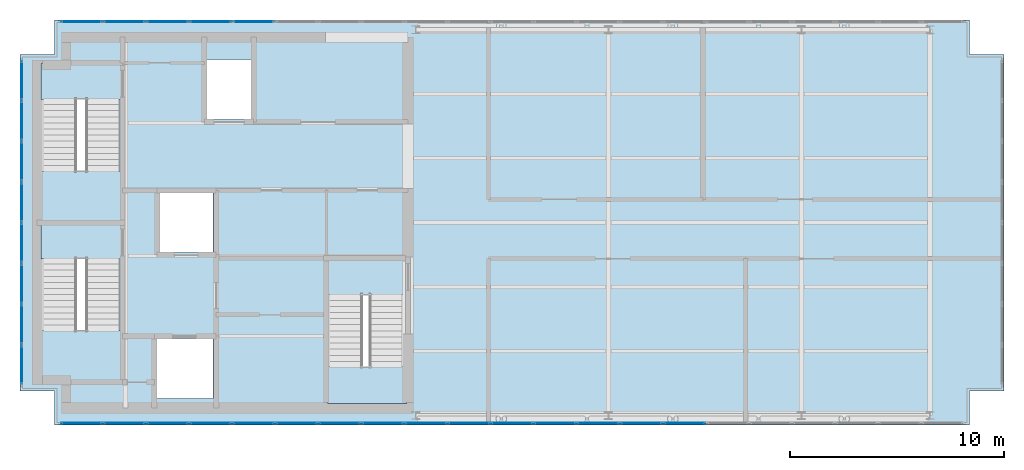
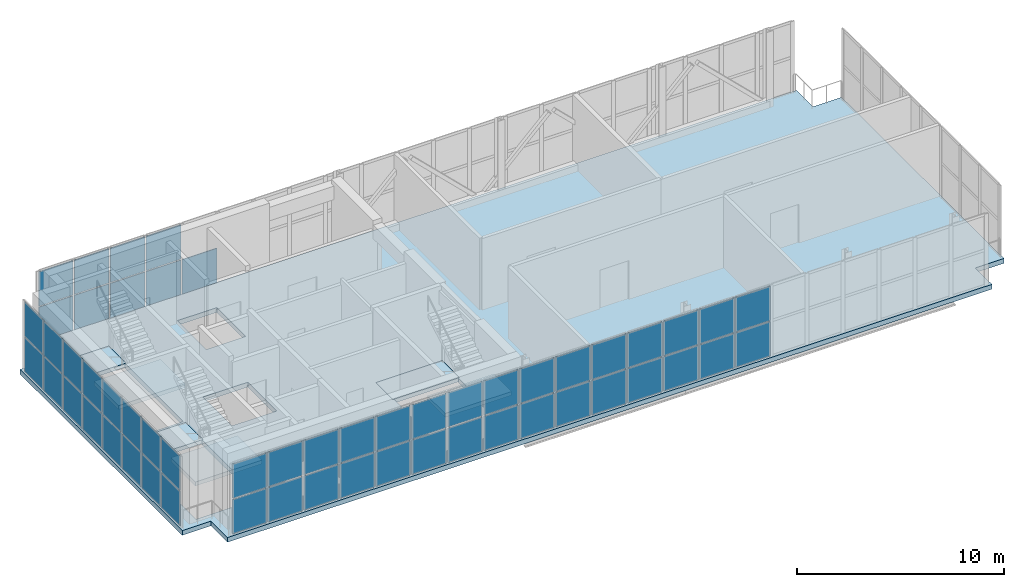
# One storey, part 16 of 21: 55 plates, 7 slabs, 6 elements without a shape of their own.
"""IFC4 building model written with IfcOpenShell, lengths in metres."""

from ifc_helpers import new_model, si_unit, direction, frame, origin, origin_2d, place, context, subcontext, project, spatial, polyline, rectangle, outline, extrude, material, layer, layer_set, type_object, element, aggregate, save


model = new_model("IFC4")

# Units and contexts
model_context = context("Model", 3, precision=1e-05, world=origin(), true_north=direction((0.0, 1.0)))
body_context = subcontext(model_context, "Body", "Model", "MODEL_VIEW")
ifc_project = project(units=[si_unit("LENGTHUNIT", "METRE"), si_unit("AREAUNIT", "SQUARE_METRE"), si_unit("VOLUMEUNIT", "CUBIC_METRE"), si_unit("PLANEANGLEUNIT", "RADIAN"), si_unit("MASSUNIT", "GRAM", prefix="KILO")], contexts=[model_context])

# Site, building, storey
site_placement = place(None, origin())
site = spatial("IfcSite", under=ifc_project, at=site_placement, CompositionType="ELEMENT")
building_placement = place(site_placement, origin())
building = spatial("IfcBuilding", under=site, at=building_placement, Name="Mawjdan Bourse Tower", CompositionType="ELEMENT")
storey_placement = place(building_placement, frame((0.0, 0.0, 317.699951171875)))
storey = spatial("IfcBuildingStorey", under=building, at=storey_placement, Name="L78", CompositionType="ELEMENT", Elevation=317.699951171875)

# Curtain wall, plates
ifc_material_1 = material(Name="Thermally Broken Aluminium and Solar Glass", Category="aluminium")
ifc_layer_1 = layer(ifc_material_1, 0.219970703125)
ifc_layer_set_1 = layer_set([ifc_layer_1], Name="Thermally Broken Aluminium and Solar Glass")
curtain_wall_type = type_object("IfcCurtainWallType", Name="CW-CRN", PredefinedType="USERDEFINED", material=ifc_layer_set_1)
curtain_wall_1_placement = place(storey_placement, origin())
curtain_wall_1 = element("IfcCurtainWall", 1, at=curtain_wall_1_placement, inside=storey, type_object=curtain_wall_type, Name="L78 Lantern Crown South Curtain Wall", ObjectType="LANTERN GLAZED CROWN", PredefinedType="USERDEFINED")
ifc_material_2 = material(Name="Night-Lit Fritted Lantern Glass", Category="glass")
ifc_layer_2 = layer(ifc_material_2, 0.0439453125)
ifc_layer_set_2 = layer_set([ifc_layer_2], Name="Night-Lit Fritted Lantern Glass")
plate_type = type_object("IfcPlateType", Name="PNL-CW-CRN", PredefinedType="CURTAIN_PANEL", material=ifc_layer_set_2)
plate_1_placement = place(storey_placement, frame((8.423583984375, 2.6298828125, 0.06005859375), z_axis=(0.0, 0.0, 1.0), x_axis=(1.0, 0.0, 0.0)))
plate_1 = element("IfcPlate", 2, at=plate_1_placement, type_object=plate_type, Name="CW-CRN-L78-CRN-S panel 1.1", PredefinedType="CURTAIN_PANEL", context=body_context, shape_type="SweptSolid", body=[
    extrude(rectangle(XDim=1.89697265625, YDim=0.0439453125, at=origin_2d()), origin(), (0.0, 0.0, 1.0), 2.030029296875),
])
plate_2_placement = place(storey_placement, frame((8.423583984375, 2.6298828125, 2.14990234375), z_axis=(0.0, 0.0, 1.0), x_axis=(1.0, 0.0, 0.0)))
plate_2 = element("IfcPlate", 3, at=plate_2_placement, type_object=plate_type, Name="CW-CRN-L78-CRN-S panel 1.2", PredefinedType="CURTAIN_PANEL", context=body_context, shape_type="SweptSolid", body=[
    extrude(rectangle(XDim=1.89697265625, YDim=0.0439453125, at=origin_2d()), origin(), (0.0, 0.0, 1.0), 2.030029296875),
])
plate_3_placement = place(storey_placement, frame((10.414306640625, 2.6298828125, 0.06005859375), z_axis=(0.0, 0.0, 1.0), x_axis=(1.0, 0.0, 0.0)))
plate_3 = element("IfcPlate", 4, at=plate_3_placement, type_object=plate_type, Name="CW-CRN-L78-CRN-S panel 2.1", PredefinedType="CURTAIN_PANEL", context=body_context, shape_type="SweptSolid", body=[
    extrude(rectangle(XDim=1.9345703125, YDim=0.0439453125, at=origin_2d()), origin(), (0.0, 0.0, 1.0), 2.030029296875),
])
plate_4_placement = place(storey_placement, frame((10.414306640625, 2.6298828125, 2.14990234375), z_axis=(0.0, 0.0, 1.0), x_axis=(1.0, 0.0, 0.0)))
plate_4 = element("IfcPlate", 5, at=plate_4_placement, type_object=plate_type, Name="CW-CRN-L78-CRN-S panel 2.2", PredefinedType="CURTAIN_PANEL", context=body_context, shape_type="SweptSolid", body=[
    extrude(rectangle(XDim=1.9345703125, YDim=0.0439453125, at=origin_2d()), origin(), (0.0, 0.0, 1.0), 2.030029296875),
])
plate_5_placement = place(storey_placement, frame((12.423828125, 2.6298828125, 0.06005859375), z_axis=(0.0, 0.0, 1.0), x_axis=(1.0, 0.0, 0.0)))
plate_5 = element("IfcPlate", 6, at=plate_5_placement, type_object=plate_type, Name="CW-CRN-L78-CRN-S panel 3.1", PredefinedType="CURTAIN_PANEL", context=body_context, shape_type="SweptSolid", body=[
    extrude(rectangle(XDim=1.9345703125, YDim=0.0439453125, at=origin_2d()), origin(), (0.0, 0.0, 1.0), 2.030029296875),
])
plate_6_placement = place(storey_placement, frame((12.423828125, 2.6298828125, 2.14990234375), z_axis=(0.0, 0.0, 1.0), x_axis=(1.0, 0.0, 0.0)))
plate_6 = element("IfcPlate", 7, at=plate_6_placement, type_object=plate_type, Name="CW-CRN-L78-CRN-S panel 3.2", PredefinedType="CURTAIN_PANEL", context=body_context, shape_type="SweptSolid", body=[
    extrude(rectangle(XDim=1.9345703125, YDim=0.0439453125, at=origin_2d()), origin(), (0.0, 0.0, 1.0), 2.030029296875),
])
plate_7_placement = place(storey_placement, frame((14.433349609375, 2.6298828125, 0.06005859375), z_axis=(0.0, 0.0, 1.0), x_axis=(1.0, 0.0, 0.0)))
plate_7 = element("IfcPlate", 8, at=plate_7_placement, type_object=plate_type, Name="CW-CRN-L78-CRN-S panel 4.1", PredefinedType="CURTAIN_PANEL", context=body_context, shape_type="SweptSolid", body=[
    extrude(rectangle(XDim=1.9345703125, YDim=0.0439453125, at=origin_2d()), origin(), (0.0, 0.0, 1.0), 2.030029296875),
])
plate_8_placement = place(storey_placement, frame((14.433349609375, 2.6298828125, 2.14990234375), z_axis=(0.0, 0.0, 1.0), x_axis=(1.0, 0.0, 0.0)))
plate_8 = element("IfcPlate", 9, at=plate_8_placement, type_object=plate_type, Name="CW-CRN-L78-CRN-S panel 4.2", PredefinedType="CURTAIN_PANEL", context=body_context, shape_type="SweptSolid", body=[
    extrude(rectangle(XDim=1.9345703125, YDim=0.0439453125, at=origin_2d()), origin(), (0.0, 0.0, 1.0), 2.030029296875),
])
plate_9_placement = place(storey_placement, frame((16.44287109375, 2.6298828125, 0.06005859375), z_axis=(0.0, 0.0, 1.0), x_axis=(1.0, 0.0, 0.0)))
plate_9 = element("IfcPlate", 10, at=plate_9_placement, type_object=plate_type, Name="CW-CRN-L78-CRN-S panel 5.1", PredefinedType="CURTAIN_PANEL", context=body_context, shape_type="SweptSolid", body=[
    extrude(rectangle(XDim=1.9345703125, YDim=0.0439453125, at=origin_2d()), origin(), (0.0, 0.0, 1.0), 2.030029296875),
])
plate_10_placement = place(storey_placement, frame((16.44287109375, 2.6298828125, 2.14990234375), z_axis=(0.0, 0.0, 1.0), x_axis=(1.0, 0.0, 0.0)))
plate_10 = element("IfcPlate", 11, at=plate_10_placement, type_object=plate_type, Name="CW-CRN-L78-CRN-S panel 5.2", PredefinedType="CURTAIN_PANEL", context=body_context, shape_type="SweptSolid", body=[
    extrude(rectangle(XDim=1.9345703125, YDim=0.0439453125, at=origin_2d()), origin(), (0.0, 0.0, 1.0), 2.030029296875),
])
plate_11_placement = place(storey_placement, frame((18.452392578125, 2.6298828125, 0.06005859375), z_axis=(0.0, 0.0, 1.0), x_axis=(1.0, 0.0, 0.0)))
plate_11 = element("IfcPlate", 12, at=plate_11_placement, type_object=plate_type, Name="CW-CRN-L78-CRN-S panel 6.1", PredefinedType="CURTAIN_PANEL", context=body_context, shape_type="SweptSolid", body=[
    extrude(rectangle(XDim=1.9345703125, YDim=0.0439453125, at=origin_2d()), origin(), (0.0, 0.0, 1.0), 2.030029296875),
])
plate_12_placement = place(storey_placement, frame((18.452392578125, 2.6298828125, 2.14990234375), z_axis=(0.0, 0.0, 1.0), x_axis=(1.0, 0.0, 0.0)))
plate_12 = element("IfcPlate", 13, at=plate_12_placement, type_object=plate_type, Name="CW-CRN-L78-CRN-S panel 6.2", PredefinedType="CURTAIN_PANEL", context=body_context, shape_type="SweptSolid", body=[
    extrude(rectangle(XDim=1.9345703125, YDim=0.0439453125, at=origin_2d()), origin(), (0.0, 0.0, 1.0), 2.030029296875),
])
plate_13_placement = place(storey_placement, frame((20.4619140625, 2.6298828125, 0.06005859375), z_axis=(0.0, 0.0, 1.0), x_axis=(1.0, 0.0, 0.0)))
plate_13 = element("IfcPlate", 14, at=plate_13_placement, type_object=plate_type, Name="CW-CRN-L78-CRN-S panel 7.1", PredefinedType="CURTAIN_PANEL", context=body_context, shape_type="SweptSolid", body=[
    extrude(rectangle(XDim=1.9345703125, YDim=0.0439453125, at=origin_2d()), origin(), (0.0, 0.0, 1.0), 2.030029296875),
])
plate_14_placement = place(storey_placement, frame((20.4619140625, 2.6298828125, 2.14990234375), z_axis=(0.0, 0.0, 1.0), x_axis=(1.0, 0.0, 0.0)))
plate_14 = element("IfcPlate", 15, at=plate_14_placement, type_object=plate_type, Name="CW-CRN-L78-CRN-S panel 7.2", PredefinedType="CURTAIN_PANEL", context=body_context, shape_type="SweptSolid", body=[
    extrude(rectangle(XDim=1.9345703125, YDim=0.0439453125, at=origin_2d()), origin(), (0.0, 0.0, 1.0), 2.030029296875),
])
plate_15_placement = place(storey_placement, frame((22.471435546875, 2.6298828125, 0.06005859375), z_axis=(0.0, 0.0, 1.0), x_axis=(1.0, 0.0, 0.0)))
plate_15 = element("IfcPlate", 16, at=plate_15_placement, type_object=plate_type, Name="CW-CRN-L78-CRN-S panel 8.1", PredefinedType="CURTAIN_PANEL", context=body_context, shape_type="SweptSolid", body=[
    extrude(rectangle(XDim=1.9345703125, YDim=0.0439453125, at=origin_2d()), origin(), (0.0, 0.0, 1.0), 2.030029296875),
])
plate_16_placement = place(storey_placement, frame((22.471435546875, 2.6298828125, 2.14990234375), z_axis=(0.0, 0.0, 1.0), x_axis=(1.0, 0.0, 0.0)))
plate_16 = element("IfcPlate", 17, at=plate_16_placement, type_object=plate_type, Name="CW-CRN-L78-CRN-S panel 8.2", PredefinedType="CURTAIN_PANEL", context=body_context, shape_type="SweptSolid", body=[
    extrude(rectangle(XDim=1.9345703125, YDim=0.0439453125, at=origin_2d()), origin(), (0.0, 0.0, 1.0), 2.030029296875),
])
plate_17_placement = place(storey_placement, frame((24.48095703125, 2.6298828125, 0.06005859375), z_axis=(0.0, 0.0, 1.0), x_axis=(1.0, 0.0, 0.0)))
plate_17 = element("IfcPlate", 18, at=plate_17_placement, type_object=plate_type, Name="CW-CRN-L78-CRN-S panel 9.1", PredefinedType="CURTAIN_PANEL", context=body_context, shape_type="SweptSolid", body=[
    extrude(rectangle(XDim=1.9345703125, YDim=0.0439453125, at=origin_2d()), origin(), (0.0, 0.0, 1.0), 2.030029296875),
])
plate_18_placement = place(storey_placement, frame((24.48095703125, 2.6298828125, 2.14990234375), z_axis=(0.0, 0.0, 1.0), x_axis=(1.0, 0.0, 0.0)))
plate_18 = element("IfcPlate", 19, at=plate_18_placement, type_object=plate_type, Name="CW-CRN-L78-CRN-S panel 9.2", PredefinedType="CURTAIN_PANEL", context=body_context, shape_type="SweptSolid", body=[
    extrude(rectangle(XDim=1.9345703125, YDim=0.0439453125, at=origin_2d()), origin(), (0.0, 0.0, 1.0), 2.030029296875),
])
plate_19_placement = place(storey_placement, frame((26.490478515625, 2.6298828125, 0.06005859375), z_axis=(0.0, 0.0, 1.0), x_axis=(1.0, 0.0, 0.0)))
plate_19 = element("IfcPlate", 20, at=plate_19_placement, type_object=plate_type, Name="CW-CRN-L78-CRN-S panel 10.1", PredefinedType="CURTAIN_PANEL", context=body_context, shape_type="SweptSolid", body=[
    extrude(rectangle(XDim=1.9345703125, YDim=0.0439453125, at=origin_2d()), origin(), (0.0, 0.0, 1.0), 2.030029296875),
])
plate_20_placement = place(storey_placement, frame((26.490478515625, 2.6298828125, 2.14990234375), z_axis=(0.0, 0.0, 1.0), x_axis=(1.0, 0.0, 0.0)))
plate_20 = element("IfcPlate", 21, at=plate_20_placement, type_object=plate_type, Name="CW-CRN-L78-CRN-S panel 10.2", PredefinedType="CURTAIN_PANEL", context=body_context, shape_type="SweptSolid", body=[
    extrude(rectangle(XDim=1.9345703125, YDim=0.0439453125, at=origin_2d()), origin(), (0.0, 0.0, 1.0), 2.030029296875),
])
plate_21_placement = place(storey_placement, frame((28.5, 2.6298828125, 0.06005859375), z_axis=(0.0, 0.0, 1.0), x_axis=(1.0, 0.0, 0.0)))
plate_21 = element("IfcPlate", 22, at=plate_21_placement, type_object=plate_type, Name="CW-CRN-L78-CRN-S panel 11.1", PredefinedType="CURTAIN_PANEL", context=body_context, shape_type="SweptSolid", body=[
    extrude(rectangle(XDim=1.9345703125, YDim=0.0439453125, at=origin_2d()), origin(), (0.0, 0.0, 1.0), 2.030029296875),
])
plate_22_placement = place(storey_placement, frame((28.5, 2.6298828125, 2.14990234375), z_axis=(0.0, 0.0, 1.0), x_axis=(1.0, 0.0, 0.0)))
plate_22 = element("IfcPlate", 23, at=plate_22_placement, type_object=plate_type, Name="CW-CRN-L78-CRN-S panel 11.2", PredefinedType="CURTAIN_PANEL", context=body_context, shape_type="SweptSolid", body=[
    extrude(rectangle(XDim=1.9345703125, YDim=0.0439453125, at=origin_2d()), origin(), (0.0, 0.0, 1.0), 2.030029296875),
])
plate_23_placement = place(storey_placement, frame((30.509521484375, 2.6298828125, 0.06005859375), z_axis=(0.0, 0.0, 1.0), x_axis=(1.0, 0.0, 0.0)))
plate_23 = element("IfcPlate", 24, at=plate_23_placement, type_object=plate_type, Name="CW-CRN-L78-CRN-S panel 12.1", PredefinedType="CURTAIN_PANEL", context=body_context, shape_type="SweptSolid", body=[
    extrude(rectangle(XDim=1.9345703125, YDim=0.0439453125, at=origin_2d()), origin(), (0.0, 0.0, 1.0), 2.030029296875),
])
plate_24_placement = place(storey_placement, frame((30.509521484375, 2.6298828125, 2.14990234375), z_axis=(0.0, 0.0, 1.0), x_axis=(1.0, 0.0, 0.0)))
plate_24 = element("IfcPlate", 25, at=plate_24_placement, type_object=plate_type, Name="CW-CRN-L78-CRN-S panel 12.2", PredefinedType="CURTAIN_PANEL", context=body_context, shape_type="SweptSolid", body=[
    extrude(rectangle(XDim=1.9345703125, YDim=0.0439453125, at=origin_2d()), origin(), (0.0, 0.0, 1.0), 2.030029296875),
])
plate_25_placement = place(storey_placement, frame((32.51904296875, 2.6298828125, 0.06005859375), z_axis=(0.0, 0.0, 1.0), x_axis=(1.0, 0.0, 0.0)))
plate_25 = element("IfcPlate", 26, at=plate_25_placement, type_object=plate_type, Name="CW-CRN-L78-CRN-S panel 13.1", PredefinedType="CURTAIN_PANEL", context=body_context, shape_type="SweptSolid", body=[
    extrude(rectangle(XDim=1.9345703125, YDim=0.0439453125, at=origin_2d()), origin(), (0.0, 0.0, 1.0), 2.030029296875),
])
plate_26_placement = place(storey_placement, frame((32.51904296875, 2.6298828125, 2.14990234375), z_axis=(0.0, 0.0, 1.0), x_axis=(1.0, 0.0, 0.0)))
plate_26 = element("IfcPlate", 27, at=plate_26_placement, type_object=plate_type, Name="CW-CRN-L78-CRN-S panel 13.2", PredefinedType="CURTAIN_PANEL", context=body_context, shape_type="SweptSolid", body=[
    extrude(rectangle(XDim=1.9345703125, YDim=0.0439453125, at=origin_2d()), origin(), (0.0, 0.0, 1.0), 2.030029296875),
])
plate_27_placement = place(storey_placement, frame((34.528564453125, 2.6298828125, 0.06005859375), z_axis=(0.0, 0.0, 1.0), x_axis=(1.0, 0.0, 0.0)))
plate_27 = element("IfcPlate", 28, at=plate_27_placement, type_object=plate_type, Name="CW-CRN-L78-CRN-S panel 14.1", PredefinedType="CURTAIN_PANEL", context=body_context, shape_type="SweptSolid", body=[
    extrude(rectangle(XDim=1.9345703125, YDim=0.0439453125, at=origin_2d()), origin(), (0.0, 0.0, 1.0), 2.030029296875),
])
plate_28_placement = place(storey_placement, frame((34.528564453125, 2.6298828125, 2.14990234375), z_axis=(0.0, 0.0, 1.0), x_axis=(1.0, 0.0, 0.0)))
plate_28 = element("IfcPlate", 29, at=plate_28_placement, type_object=plate_type, Name="CW-CRN-L78-CRN-S panel 14.2", PredefinedType="CURTAIN_PANEL", context=body_context, shape_type="SweptSolid", body=[
    extrude(rectangle(XDim=1.9345703125, YDim=0.0439453125, at=origin_2d()), origin(), (0.0, 0.0, 1.0), 2.030029296875),
])
plate_29_placement = place(storey_placement, frame((36.5380859375, 2.6298828125, 0.06005859375), z_axis=(0.0, 0.0, 1.0), x_axis=(1.0, 0.0, 0.0)))
plate_29 = element("IfcPlate", 30, at=plate_29_placement, type_object=plate_type, Name="CW-CRN-L78-CRN-S panel 15.1", PredefinedType="CURTAIN_PANEL", context=body_context, shape_type="SweptSolid", body=[
    extrude(rectangle(XDim=1.9345703125, YDim=0.0439453125, at=origin_2d()), origin(), (0.0, 0.0, 1.0), 2.030029296875),
])
plate_30_placement = place(storey_placement, frame((36.5380859375, 2.6298828125, 2.14990234375), z_axis=(0.0, 0.0, 1.0), x_axis=(1.0, 0.0, 0.0)))
plate_30 = element("IfcPlate", 31, at=plate_30_placement, type_object=plate_type, Name="CW-CRN-L78-CRN-S panel 15.2", PredefinedType="CURTAIN_PANEL", context=body_context, shape_type="SweptSolid", body=[
    extrude(rectangle(XDim=1.9345703125, YDim=0.0439453125, at=origin_2d()), origin(), (0.0, 0.0, 1.0), 2.030029296875),
])
aggregate(curtain_wall_1, [plate_1, plate_2, plate_3, plate_4, plate_5, plate_6, plate_7, plate_8, plate_9, plate_10, plate_11, plate_12, plate_13, plate_14, plate_15, plate_16, plate_17, plate_18, plate_19, plate_20, plate_21, plate_22, plate_23, plate_24, plate_25, plate_26, plate_27, plate_28, plate_29, plate_30])

curtain_wall_2_placement = place(storey_placement, origin())
curtain_wall_2 = element("IfcCurtainWall", 32, at=curtain_wall_2_placement, inside=storey, type_object=curtain_wall_type, Name="L78 Lantern Crown North Curtain Wall", ObjectType="LANTERN GLAZED CROWN", PredefinedType="USERDEFINED")
plate_31_placement = place(storey_placement, frame((16.44287109375, 21.3701171875, 0.06005859375), z_axis=(0.0, 0.0, 1.0), x_axis=(-1.0, 0.0, 0.0)))
plate_31 = element("IfcPlate", 33, at=plate_31_placement, type_object=plate_type, Name="CW-CRN-L78-CRN-N panel 17.1", PredefinedType="CURTAIN_PANEL", context=body_context, shape_type="SweptSolid", body=[
    extrude(rectangle(XDim=1.9345703125, YDim=0.0439453125, at=origin_2d()), origin(), (0.0, 0.0, 1.0), 2.030029296875),
])
plate_32_placement = place(storey_placement, frame((14.433349609375, 21.3701171875, 0.06005859375), z_axis=(0.0, 0.0, 1.0), x_axis=(-1.0, 0.0, 0.0)))
plate_32 = element("IfcPlate", 34, at=plate_32_placement, type_object=plate_type, Name="CW-CRN-L78-CRN-N panel 18.1", PredefinedType="CURTAIN_PANEL", context=body_context, shape_type="SweptSolid", body=[
    extrude(rectangle(XDim=1.9345703125, YDim=0.0439453125, at=origin_2d()), origin(), (0.0, 0.0, 1.0), 2.030029296875),
])
plate_33_placement = place(storey_placement, frame((14.433349609375, 21.3701171875, 2.14990234375), z_axis=(0.0, 0.0, 1.0), x_axis=(-1.0, 0.0, 0.0)))
plate_33 = element("IfcPlate", 35, at=plate_33_placement, type_object=plate_type, Name="CW-CRN-L78-CRN-N panel 18.2", PredefinedType="CURTAIN_PANEL", context=body_context, shape_type="SweptSolid", body=[
    extrude(rectangle(XDim=1.9345703125, YDim=0.0439453125, at=origin_2d()), origin(), (0.0, 0.0, 1.0), 2.030029296875),
])
plate_34_placement = place(storey_placement, frame((12.423828125, 21.3701171875, 0.06005859375), z_axis=(0.0, 0.0, 1.0), x_axis=(-1.0, 0.0, 0.0)))
plate_34 = element("IfcPlate", 36, at=plate_34_placement, type_object=plate_type, Name="CW-CRN-L78-CRN-N panel 19.1", PredefinedType="CURTAIN_PANEL", context=body_context, shape_type="SweptSolid", body=[
    extrude(rectangle(XDim=1.9345703125, YDim=0.0439453125, at=origin_2d()), origin(), (0.0, 0.0, 1.0), 2.030029296875),
])
plate_35_placement = place(storey_placement, frame((12.423828125, 21.3701171875, 2.14990234375), z_axis=(0.0, 0.0, 1.0), x_axis=(-1.0, 0.0, 0.0)))
plate_35 = element("IfcPlate", 37, at=plate_35_placement, type_object=plate_type, Name="CW-CRN-L78-CRN-N panel 19.2", PredefinedType="CURTAIN_PANEL", context=body_context, shape_type="SweptSolid", body=[
    extrude(rectangle(XDim=1.9345703125, YDim=0.0439453125, at=origin_2d()), origin(), (0.0, 0.0, 1.0), 2.030029296875),
])
plate_36_placement = place(storey_placement, frame((10.414306640625, 21.3701171875, 0.06005859375), z_axis=(0.0, 0.0, 1.0), x_axis=(-1.0, 0.0, 0.0)))
plate_36 = element("IfcPlate", 38, at=plate_36_placement, type_object=plate_type, Name="CW-CRN-L78-CRN-N panel 20.1", PredefinedType="CURTAIN_PANEL", context=body_context, shape_type="SweptSolid", body=[
    extrude(rectangle(XDim=1.9345703125, YDim=0.0439453125, at=origin_2d()), origin(), (0.0, 0.0, 1.0), 2.030029296875),
])
plate_37_placement = place(storey_placement, frame((10.414306640625, 21.3701171875, 2.14990234375), z_axis=(0.0, 0.0, 1.0), x_axis=(-1.0, 0.0, 0.0)))
plate_37 = element("IfcPlate", 39, at=plate_37_placement, type_object=plate_type, Name="CW-CRN-L78-CRN-N panel 20.2", PredefinedType="CURTAIN_PANEL", context=body_context, shape_type="SweptSolid", body=[
    extrude(rectangle(XDim=1.9345703125, YDim=0.0439453125, at=origin_2d()), origin(), (0.0, 0.0, 1.0), 2.030029296875),
])
plate_38_placement = place(storey_placement, frame((8.423583984375, 21.3701171875, 0.06005859375), z_axis=(0.0, 0.0, 1.0), x_axis=(-1.0, 0.0, 0.0)))
plate_38 = element("IfcPlate", 40, at=plate_38_placement, type_object=plate_type, Name="CW-CRN-L78-CRN-N panel 21.1", PredefinedType="CURTAIN_PANEL", context=body_context, shape_type="SweptSolid", body=[
    extrude(rectangle(XDim=1.89697265625, YDim=0.0439453125, at=origin_2d()), origin(), (0.0, 0.0, 1.0), 2.030029296875),
])
plate_39_placement = place(storey_placement, frame((8.423583984375, 21.3701171875, 2.14990234375), z_axis=(0.0, 0.0, 1.0), x_axis=(-1.0, 0.0, 0.0)))
plate_39 = element("IfcPlate", 41, at=plate_39_placement, type_object=plate_type, Name="CW-CRN-L78-CRN-N panel 21.2", PredefinedType="CURTAIN_PANEL", context=body_context, shape_type="SweptSolid", body=[
    extrude(rectangle(XDim=1.89697265625, YDim=0.0439453125, at=origin_2d()), origin(), (0.0, 0.0, 1.0), 2.030029296875),
])
aggregate(curtain_wall_2, [plate_31, plate_32, plate_33, plate_34, plate_35, plate_36, plate_37, plate_38, plate_39])

curtain_wall_3_placement = place(storey_placement, origin())
curtain_wall_3 = element("IfcCurtainWall", 42, at=curtain_wall_3_placement, inside=storey, type_object=curtain_wall_type, Name="L78 Lantern Crown West Curtain Wall", ObjectType="LANTERN GLAZED CROWN", PredefinedType="USERDEFINED")
plate_40_placement = place(storey_placement, frame((5.6298828125, 18.63134765625, 0.06005859375), z_axis=(0.0, 0.0, 1.0), x_axis=(0.0, -1.0, 0.0)))
plate_40 = element("IfcPlate", 43, at=plate_40_placement, type_object=plate_type, Name="CW-CRN-L78-CRN-W panel 1.1", PredefinedType="CURTAIN_PANEL", context=body_context, shape_type="SweptSolid", body=[
    extrude(rectangle(XDim=1.78759765625, YDim=0.0439453125, at=origin_2d()), origin(), (0.0, 0.0, 1.0), 2.030029296875),
])
plate_41_placement = place(storey_placement, frame((5.6298828125, 18.63134765625, 2.14990234375), z_axis=(0.0, 0.0, 1.0), x_axis=(0.0, -1.0, 0.0)))
plate_41 = element("IfcPlate", 44, at=plate_41_placement, type_object=plate_type, Name="CW-CRN-L78-CRN-W panel 1.2", PredefinedType="CURTAIN_PANEL", context=body_context, shape_type="SweptSolid", body=[
    extrude(rectangle(XDim=1.78759765625, YDim=0.0439453125, at=origin_2d()), origin(), (0.0, 0.0, 1.0), 2.030029296875),
])
plate_42_placement = place(storey_placement, frame((5.6298828125, 16.75, 0.06005859375), z_axis=(0.0, 0.0, 1.0), x_axis=(0.0, -1.0, 0.0)))
plate_42 = element("IfcPlate", 45, at=plate_42_placement, type_object=plate_type, Name="CW-CRN-L78-CRN-W panel 2.1", PredefinedType="CURTAIN_PANEL", context=body_context, shape_type="SweptSolid", body=[
    extrude(rectangle(XDim=1.824951171875, YDim=0.0439453125, at=origin_2d()), origin(), (0.0, 0.0, 1.0), 2.030029296875),
])
plate_43_placement = place(storey_placement, frame((5.6298828125, 16.75, 2.14990234375), z_axis=(0.0, 0.0, 1.0), x_axis=(0.0, -1.0, 0.0)))
plate_43 = element("IfcPlate", 46, at=plate_43_placement, type_object=plate_type, Name="CW-CRN-L78-CRN-W panel 2.2", PredefinedType="CURTAIN_PANEL", context=body_context, shape_type="SweptSolid", body=[
    extrude(rectangle(XDim=1.824951171875, YDim=0.0439453125, at=origin_2d()), origin(), (0.0, 0.0, 1.0), 2.030029296875),
])
plate_44_placement = place(storey_placement, frame((5.6298828125, 14.85009765625, 0.06005859375), z_axis=(0.0, 0.0, 1.0), x_axis=(0.0, -1.0, 0.0)))
plate_44 = element("IfcPlate", 47, at=plate_44_placement, type_object=plate_type, Name="CW-CRN-L78-CRN-W panel 3.1", PredefinedType="CURTAIN_PANEL", context=body_context, shape_type="SweptSolid", body=[
    extrude(rectangle(XDim=1.824951171875, YDim=0.0439453125, at=origin_2d()), origin(), (0.0, 0.0, 1.0), 2.030029296875),
])
plate_45_placement = place(storey_placement, frame((5.6298828125, 14.85009765625, 2.14990234375), z_axis=(0.0, 0.0, 1.0), x_axis=(0.0, -1.0, 0.0)))
plate_45 = element("IfcPlate", 48, at=plate_45_placement, type_object=plate_type, Name="CW-CRN-L78-CRN-W panel 3.2", PredefinedType="CURTAIN_PANEL", context=body_context, shape_type="SweptSolid", body=[
    extrude(rectangle(XDim=1.824951171875, YDim=0.0439453125, at=origin_2d()), origin(), (0.0, 0.0, 1.0), 2.030029296875),
])
plate_46_placement = place(storey_placement, frame((5.6298828125, 12.949951171875, 0.06005859375), z_axis=(0.0, 0.0, 1.0), x_axis=(0.0, -1.0, 0.0)))
plate_46 = element("IfcPlate", 49, at=plate_46_placement, type_object=plate_type, Name="CW-CRN-L78-CRN-W panel 4.1", PredefinedType="CURTAIN_PANEL", context=body_context, shape_type="SweptSolid", body=[
    extrude(rectangle(XDim=1.824951171875, YDim=0.0439453125, at=origin_2d()), origin(), (0.0, 0.0, 1.0), 2.030029296875),
])
plate_47_placement = place(storey_placement, frame((5.6298828125, 12.949951171875, 2.14990234375), z_axis=(0.0, 0.0, 1.0), x_axis=(0.0, -1.0, 0.0)))
plate_47 = element("IfcPlate", 50, at=plate_47_placement, type_object=plate_type, Name="CW-CRN-L78-CRN-W panel 4.2", PredefinedType="CURTAIN_PANEL", context=body_context, shape_type="SweptSolid", body=[
    extrude(rectangle(XDim=1.824951171875, YDim=0.0439453125, at=origin_2d()), origin(), (0.0, 0.0, 1.0), 2.030029296875),
])
plate_48_placement = place(storey_placement, frame((5.6298828125, 11.050048828125, 0.06005859375), z_axis=(0.0, 0.0, 1.0), x_axis=(0.0, -1.0, 0.0)))
plate_48 = element("IfcPlate", 51, at=plate_48_placement, type_object=plate_type, Name="CW-CRN-L78-CRN-W panel 5.1", PredefinedType="CURTAIN_PANEL", context=body_context, shape_type="SweptSolid", body=[
    extrude(rectangle(XDim=1.824951171875, YDim=0.0439453125, at=origin_2d()), origin(), (0.0, 0.0, 1.0), 2.030029296875),
])
plate_49_placement = place(storey_placement, frame((5.6298828125, 11.050048828125, 2.14990234375), z_axis=(0.0, 0.0, 1.0), x_axis=(0.0, -1.0, 0.0)))
plate_49 = element("IfcPlate", 52, at=plate_49_placement, type_object=plate_type, Name="CW-CRN-L78-CRN-W panel 5.2", PredefinedType="CURTAIN_PANEL", context=body_context, shape_type="SweptSolid", body=[
    extrude(rectangle(XDim=1.824951171875, YDim=0.0439453125, at=origin_2d()), origin(), (0.0, 0.0, 1.0), 2.030029296875),
])
plate_50_placement = place(storey_placement, frame((5.6298828125, 9.14990234375, 0.06005859375), z_axis=(0.0, 0.0, 1.0), x_axis=(0.0, -1.0, 0.0)))
plate_50 = element("IfcPlate", 53, at=plate_50_placement, type_object=plate_type, Name="CW-CRN-L78-CRN-W panel 6.1", PredefinedType="CURTAIN_PANEL", context=body_context, shape_type="SweptSolid", body=[
    extrude(rectangle(XDim=1.824951171875, YDim=0.0439453125, at=origin_2d()), origin(), (0.0, 0.0, 1.0), 2.030029296875),
])
plate_51_placement = place(storey_placement, frame((5.6298828125, 9.14990234375, 2.14990234375), z_axis=(0.0, 0.0, 1.0), x_axis=(0.0, -1.0, 0.0)))
plate_51 = element("IfcPlate", 54, at=plate_51_placement, type_object=plate_type, Name="CW-CRN-L78-CRN-W panel 6.2", PredefinedType="CURTAIN_PANEL", context=body_context, shape_type="SweptSolid", body=[
    extrude(rectangle(XDim=1.824951171875, YDim=0.0439453125, at=origin_2d()), origin(), (0.0, 0.0, 1.0), 2.030029296875),
])
plate_52_placement = place(storey_placement, frame((5.6298828125, 7.25, 0.06005859375), z_axis=(0.0, 0.0, 1.0), x_axis=(0.0, -1.0, 0.0)))
plate_52 = element("IfcPlate", 55, at=plate_52_placement, type_object=plate_type, Name="CW-CRN-L78-CRN-W panel 7.1", PredefinedType="CURTAIN_PANEL", context=body_context, shape_type="SweptSolid", body=[
    extrude(rectangle(XDim=1.824951171875, YDim=0.0439453125, at=origin_2d()), origin(), (0.0, 0.0, 1.0), 2.030029296875),
])
plate_53_placement = place(storey_placement, frame((5.6298828125, 7.25, 2.14990234375), z_axis=(0.0, 0.0, 1.0), x_axis=(0.0, -1.0, 0.0)))
plate_53 = element("IfcPlate", 56, at=plate_53_placement, type_object=plate_type, Name="CW-CRN-L78-CRN-W panel 7.2", PredefinedType="CURTAIN_PANEL", context=body_context, shape_type="SweptSolid", body=[
    extrude(rectangle(XDim=1.824951171875, YDim=0.0439453125, at=origin_2d()), origin(), (0.0, 0.0, 1.0), 2.030029296875),
])
plate_54_placement = place(storey_placement, frame((5.6298828125, 5.36865234375, 0.06005859375), z_axis=(0.0, 0.0, 1.0), x_axis=(0.0, -1.0, 0.0)))
plate_54 = element("IfcPlate", 57, at=plate_54_placement, type_object=plate_type, Name="CW-CRN-L78-CRN-W panel 8.1", PredefinedType="CURTAIN_PANEL", context=body_context, shape_type="SweptSolid", body=[
    extrude(rectangle(XDim=1.78759765625, YDim=0.0439453125, at=origin_2d()), origin(), (0.0, 0.0, 1.0), 2.030029296875),
])
plate_55_placement = place(storey_placement, frame((5.6298828125, 5.36865234375, 2.14990234375), z_axis=(0.0, 0.0, 1.0), x_axis=(0.0, -1.0, 0.0)))
plate_55 = element("IfcPlate", 58, at=plate_55_placement, type_object=plate_type, Name="CW-CRN-L78-CRN-W panel 8.2", PredefinedType="CURTAIN_PANEL", context=body_context, shape_type="SweptSolid", body=[
    extrude(rectangle(XDim=1.78759765625, YDim=0.0439453125, at=origin_2d()), origin(), (0.0, 0.0, 1.0), 2.030029296875),
])
aggregate(curtain_wall_3, [plate_40, plate_41, plate_42, plate_43, plate_44, plate_45, plate_46, plate_47, plate_48, plate_49, plate_50, plate_51, plate_52, plate_53, plate_54, plate_55])

# Stair, slabs
ifc_material_3 = material(Name="Concrete C50/60", Category="concrete")
stair_type = type_object("IfcStairType", Name="STR-CORE-1500", PredefinedType="HALF_TURN_STAIR", material=ifc_material_3)
stair_1_placement = place(storey_placement, origin())
stair_1 = element("IfcStair", 59, at=stair_1_placement, inside=storey, type_object=stair_type, Name="L78 Exit Stair 1 (Core South-West)", PredefinedType="HALF_TURN_STAIR")
ifc_layer_3 = layer(ifc_material_3, 0.22998046875)
ifc_layer_set_3 = layer_set([ifc_layer_3], Name="Concrete C50/60")
slab_type_1 = type_object("IfcSlabType", Name="SL-LND-230", PredefinedType="LANDING", material=ifc_layer_set_3)
slab_1_placement = place(storey_placement, frame((0.0, 0.0, -0.22998046875)))
slab_1 = element("IfcSlab", 60, at=slab_1_placement, type_object=slab_type_1, Name="ST1-L78 landing 1", PredefinedType="LANDING", context=body_context, shape_type="SweptSolid", body=[
    extrude(outline(polyline([(6.5400390625, 10.31005859375), (10.260009765625, 10.31005859375), (10.260009765625, 11.969970703125), (6.5400390625, 11.969970703125), (6.5400390625, 10.31005859375)])), origin(), (0.0, 0.0, 1.0), 0.22998046875),
])
slab_2_placement = place(storey_placement, frame((0.0, 0.0, 2.02001953125)))
slab_2 = element("IfcSlab", 61, at=slab_2_placement, type_object=slab_type_1, Name="ST1-L78 landing 2", PredefinedType="LANDING", context=body_context, shape_type="SweptSolid", body=[
    extrude(outline(polyline([(6.5400390625, 4.590087890625), (10.260009765625, 4.590087890625), (10.260009765625, 6.969970703125), (6.5400390625, 6.969970703125), (6.5400390625, 4.590087890625)])), origin(), (0.0, 0.0, 1.0), 0.22998046875),
])
aggregate(stair_1, [slab_1, slab_2])

stair_2_placement = place(storey_placement, origin())
stair_2 = element("IfcStair", 62, at=stair_2_placement, inside=storey, type_object=stair_type, Name="L78 Exit Stair 2 (Core North-West)", PredefinedType="HALF_TURN_STAIR")
slab_3_placement = place(storey_placement, frame((0.0, 0.0, -0.22998046875)))
slab_3 = element("IfcSlab", 63, at=slab_3_placement, type_object=slab_type_1, Name="ST2-L78 landing 1", PredefinedType="LANDING", context=body_context, shape_type="SweptSolid", body=[
    extrude(outline(polyline([(6.5400390625, 17.75), (10.260009765625, 17.75), (10.260009765625, 19.409912109375), (6.5400390625, 19.409912109375), (6.5400390625, 17.75)])), origin(), (0.0, 0.0, 1.0), 0.22998046875),
])
slab_4_placement = place(storey_placement, frame((0.0, 0.0, 2.02001953125)))
slab_4 = element("IfcSlab", 64, at=slab_4_placement, type_object=slab_type_1, Name="ST2-L78 landing 2", PredefinedType="LANDING", context=body_context, shape_type="SweptSolid", body=[
    extrude(outline(polyline([(6.5400390625, 12.030029296875), (10.260009765625, 12.030029296875), (10.260009765625, 14.409912109375), (6.5400390625, 14.409912109375), (6.5400390625, 12.030029296875)])), origin(), (0.0, 0.0, 1.0), 0.22998046875),
])
aggregate(stair_2, [slab_3, slab_4])

stair_3_placement = place(storey_placement, origin())
stair_3 = element("IfcStair", 65, at=stair_3_placement, inside=storey, type_object=stair_type, Name="L78 Exit Stair 7 (Core South-East)", PredefinedType="HALF_TURN_STAIR")
slab_5_placement = place(storey_placement, frame((0.0, 0.0, -0.22998046875)))
slab_5 = element("IfcSlab", 66, at=slab_5_placement, type_object=slab_type_1, Name="ST7-L78 landing 1", PredefinedType="LANDING", context=body_context, shape_type="SweptSolid", body=[
    extrude(outline(polyline([(19.889892578125, 8.6201171875), (23.610107421875, 8.6201171875), (23.610107421875, 10.280029296875), (19.889892578125, 10.280029296875), (19.889892578125, 8.6201171875)])), origin(), (0.0, 0.0, 1.0), 0.22998046875),
])
slab_6_placement = place(storey_placement, frame((0.0, 0.0, 2.02001953125)))
slab_6 = element("IfcSlab", 67, at=slab_6_placement, type_object=slab_type_1, Name="ST7-L78 landing 2", PredefinedType="LANDING", context=body_context, shape_type="SweptSolid", body=[
    extrude(outline(polyline([(19.889892578125, 3.56005859375), (23.610107421875, 3.56005859375), (23.610107421875, 5.280029296875), (19.889892578125, 5.280029296875), (19.889892578125, 3.56005859375)])), origin(), (0.0, 0.0, 1.0), 0.22998046875),
])
aggregate(stair_3, [slab_5, slab_6])

# Slab
ifc_layer_4 = layer(ifc_material_3, 0.280029296875)
ifc_layer_set_4 = layer_set([ifc_layer_4], Name="Concrete C50/60")
slab_type_2 = type_object("IfcSlabType", Name="SL-PLT-280", PredefinedType="FLOOR", material=ifc_layer_set_4)
slab_7_placement = place(storey_placement, frame((0.0, 0.0, -0.280029296875)))
element("IfcSlab", 68, at=slab_7_placement, inside=storey, type_object=slab_type_2, Name="L78 Structural Floor Slab 1", PredefinedType="FLOOR", context=body_context, shape_type="SweptSolid", body=[
    extrude(outline(polyline([(7.14990234375, 2.550048828125), (49.85009765625, 2.550048828125), (49.85009765625, 4.14990234375), (51.449951171875, 4.14990234375), (51.449951171875, 19.85009765625), (49.85009765625, 19.85009765625), (49.85009765625, 21.449951171875), (7.14990234375, 21.449951171875), (7.14990234375, 19.85009765625), (5.550048828125, 19.85009765625), (5.550048828125, 4.14990234375), (7.14990234375, 4.14990234375), (7.14990234375, 2.550048828125)]), holes=[polyline([(14.550048828125, 3.800048828125), (11.949951171875, 3.800048828125), (11.949951171875, 6.60009765625), (14.550048828125, 6.60009765625), (14.550048828125, 3.800048828125)]), polyline([(19.949951171875, 3.6201171875), (19.949951171875, 8.6201171875), (19.889892578125, 8.6201171875), (19.889892578125, 10.280029296875), (23.610107421875, 10.280029296875), (23.610107421875, 8.6201171875), (23.550048828125, 8.6201171875), (23.550048828125, 3.6201171875), (19.949951171875, 3.6201171875)]), polyline([(10.199951171875, 4.64990234375), (6.60009765625, 4.64990234375), (6.60009765625, 10.31005859375), (6.5400390625, 10.31005859375), (6.5400390625, 11.969970703125), (10.260009765625, 11.969970703125), (10.260009765625, 10.31005859375), (10.199951171875, 10.31005859375), (10.199951171875, 4.64990234375)]), polyline([(14.550048828125, 10.60009765625), (12.050048828125, 10.60009765625), (12.050048828125, 13.39990234375), (14.550048828125, 13.39990234375), (14.550048828125, 10.60009765625)]), polyline([(6.5400390625, 19.409912109375), (10.260009765625, 19.409912109375), (10.260009765625, 17.75), (10.199951171875, 17.75), (10.199951171875, 12.090087890625), (6.60009765625, 12.090087890625), (6.60009765625, 17.75), (6.5400390625, 17.75), (6.5400390625, 19.409912109375)]), polyline([(14.199951171875, 16.800048828125), (14.199951171875, 19.60009765625), (16.39990234375, 19.60009765625), (16.39990234375, 16.800048828125), (14.199951171875, 16.800048828125)])]), origin(), (0.0, 0.0, 1.0), 0.280029296875),
])

save(model, "model.ifc")
